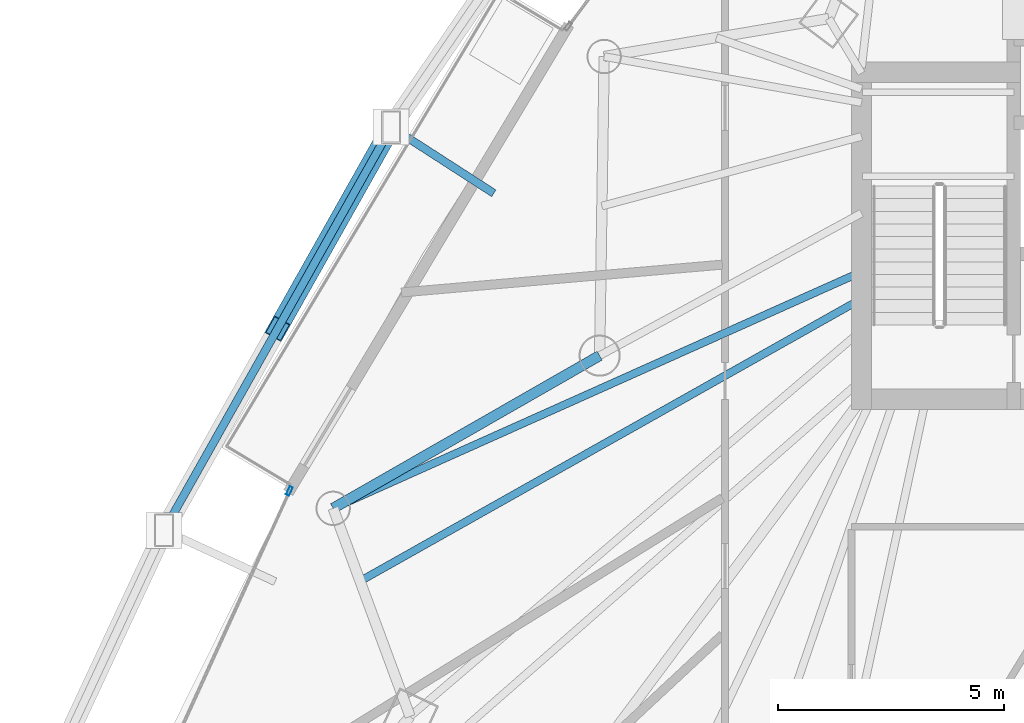
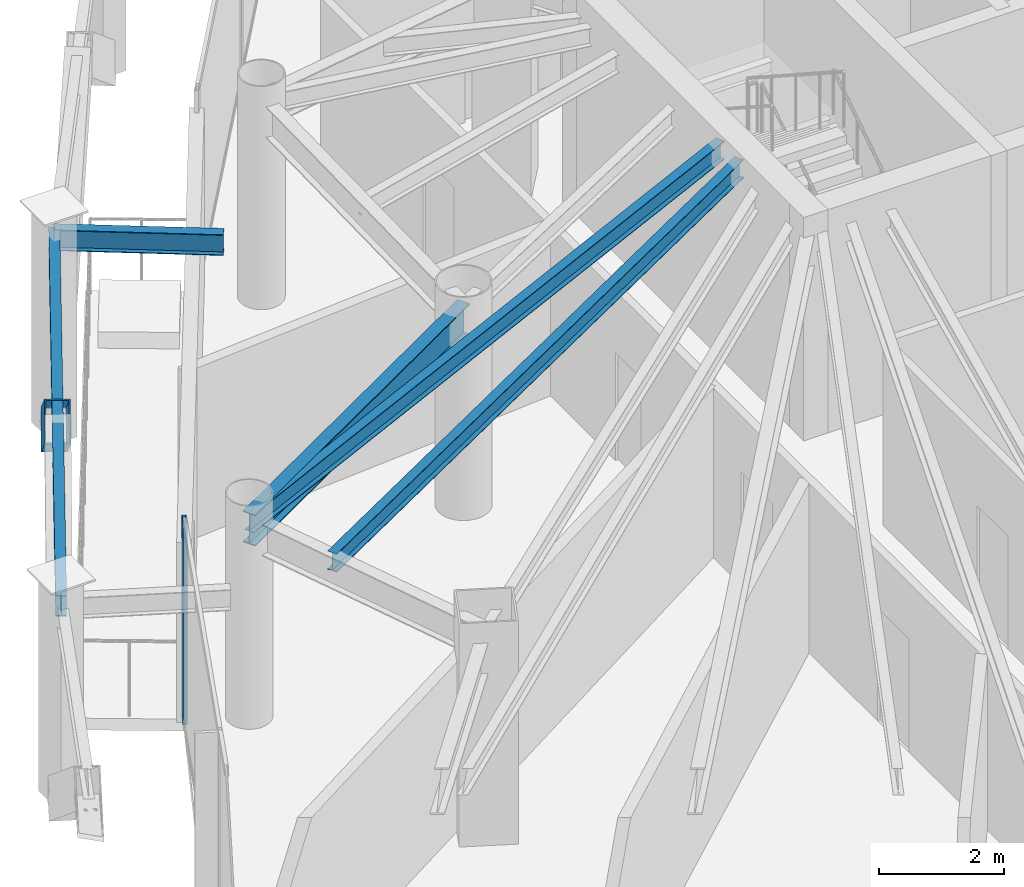
# One storey, part 10 of 33: 5 beams, 2 members, 1 element without a shape of its own.
"""IFC4 building model written with IfcOpenShell, lengths in metres."""

from ifc_helpers import new_model, si_unit, direction, frame, origin, origin_2d, place, context, subcontext, project, spatial, hollow_rectangle, i_section, extrude, material, layer, layer_set, material_profile, profile_set, type_object, element, aggregate, save


model = new_model("IFC4")

# Units and contexts
model_context = context("Model", 3, precision=1e-05, world=origin(), true_north=direction((0.0, 1.0)))
body_context = subcontext(model_context, "Body", "Model", "MODEL_VIEW")
ifc_project = project(units=[si_unit("LENGTHUNIT", "METRE"), si_unit("AREAUNIT", "SQUARE_METRE"), si_unit("VOLUMEUNIT", "CUBIC_METRE"), si_unit("PLANEANGLEUNIT", "RADIAN"), si_unit("MASSUNIT", "GRAM", prefix="KILO")], contexts=[model_context])

# Site, building, storey
site_placement = place(None, origin())
site = spatial("IfcSite", under=ifc_project, at=site_placement, CompositionType="ELEMENT")
building_placement = place(site_placement, origin())
building = spatial("IfcBuilding", under=site, at=building_placement, Name="Orvanel Arch Residences", CompositionType="ELEMENT")
storey_placement = place(building_placement, frame((0.0, 0.0, 97.25)))
storey = spatial("IfcBuildingStorey", under=building, at=storey_placement, Name="L27", CompositionType="ELEMENT", Elevation=97.25)

# Beams
ifc_material_1 = material(Name="Structural steel AS/NZS 3679.1 Grade 300 (300 MPa)", Category="steel")
ifc_material_profile_1 = material_profile(ifc_material_1, i_section(OverallWidth=0.1708984375, OverallDepth=0.35595703125, WebThickness=0.00732421875, FlangeThickness=0.011474609375, at=origin_2d()), Name="360UB50.7")
ifc_profile_set_1 = profile_set([ifc_material_profile_1], Name="Structural steel AS/NZS 3679.1 Grade 300 (300 MPa)")
beam_type_1 = type_object("IfcBeamType", Name="BJ-360UB", PredefinedType="JOIST", material=ifc_profile_set_1)
beam_1_placement = place(storey_placement, frame((26.375, 29.5, 3.77197265625), z_axis=(-0.912704378681, -0.408620505038, 0.0), x_axis=(0.408620505038, -0.912704378681, 0.0)))
element("IfcBeam", 1, at=beam_1_placement, inside=storey, type_object=beam_type_1, Name="L27 LSW Wing Floor Joist", PredefinedType="JOIST", context=body_context, shape_type="SweptSolid", body=[
    extrude(i_section(OverallWidth=0.1708984375, OverallDepth=0.35595703125, WebThickness=0.00732421875, FlangeThickness=0.011474609375, at=origin_2d()), origin(), (0.0, 0.0, 1.0), 12.833251953125),
])
beam_2_placement = place(storey_placement, frame((26.375, 28.89990234375, 3.77197265625), z_axis=(-0.871372554181, -0.490621923502, 0.0), x_axis=(0.490621923502, -0.871372554181, 0.0)))
element("IfcBeam", 2, at=beam_2_placement, inside=storey, type_object=beam_type_1, Name="L27 CTW Wing Floor Joist", PredefinedType="JOIST", context=body_context, shape_type="SweptSolid", body=[
    extrude(i_section(OverallWidth=0.1708984375, OverallDepth=0.35595703125, WebThickness=0.00732421875, FlangeThickness=0.011474609375, at=origin_2d()), origin(), (0.0, 0.0, 1.0), 12.7568359375),
])

# Member
ifc_material_2 = material(Name="Structural steel AS/NZS 3678 Grade 350", Category="steel")
ifc_material_profile_2 = material_profile(ifc_material_2, hollow_rectangle(XDim=0.419921875, YDim=0.719970703125, WallThickness=0.02490234375, at=origin_2d()), Name="RHS720x420x25")
ifc_profile_set_2 = profile_set([ifc_material_profile_2], Name="Structural steel AS/NZS 3678 Grade 350")
member_type_1 = type_object("IfcMemberType", Name="BR-720RHS-EXT", PredefinedType="BRACE", material=ifc_profile_set_2)
member_1_placement = place(storey_placement, frame((15.948974609375, 32.70703125, 0.0), z_axis=(-0.396395496013, -0.703511688435, 0.589866014427), x_axis=(0.871220679284, -0.490891564389, 0.0)))
element("IfcMember", 3, at=member_1_placement, inside=storey, type_object=member_type_1, Name="L27 Exterior Sky-Garden V-Frame Chevron F1B2.1", PredefinedType="BRACE", context=body_context, shape_type="SweptSolid", body=[
    extrude(hollow_rectangle(XDim=0.419921875, YDim=0.719970703125, WallThickness=0.02490234375, at=origin_2d()), origin(), (0.0, 0.0, 1.0), 6.352294921875),
])

# Curtain wall, member
ifc_material_3 = material(Name="Bronze-anodised aluminium AA6063-T6", Category="aluminium")
ifc_layer = layer(ifc_material_3, 0.195068359375)
ifc_layer_set = layer_set([ifc_layer], Name="Bronze-anodised aluminium AA6063-T6")
curtain_wall_type = type_object("IfcCurtainWallType", Name="CW6-COM-SYS", PredefinedType="NOTDEFINED", material=ifc_layer_set)
curtain_wall_placement = place(storey_placement, origin())
curtain_wall = element("IfcCurtainWall", 4, at=curtain_wall_placement, inside=storey, type_object=curtain_wall_type, Name="L27 CW6-COM-SYS Unitised Curtain Wall", PredefinedType="NOTDEFINED")
ifc_material_profile_3 = material_profile(ifc_material_3, hollow_rectangle(XDim=0.074951171875, YDim=0.199951171875, WallThickness=0.0048828125, at=origin_2d()), Name="ALU200x75x5")
ifc_profile_set_3 = profile_set([ifc_material_profile_3], Name="Bronze-anodised aluminium AA6063-T6")
member_type_2 = type_object("IfcMemberType", Name="MUL-200x75", PredefinedType="MULLION", material=ifc_profile_set_3)
member_2_placement = place(storey_placement, frame((13.6923828125, 24.637939453125, 0.0), z_axis=(0.0, 0.0, 1.0), x_axis=(0.909928413653, -0.414765333685, 0.0)))
member_2 = element("IfcMember", 5, at=member_2_placement, type_object=member_type_2, Name="CW-S6 mullion 1", PredefinedType="MULLION", context=body_context, shape_type="SweptSolid", body=[
    extrude(hollow_rectangle(XDim=0.074951171875, YDim=0.199951171875, WallThickness=0.0048828125, at=origin_2d()), origin(), (0.0, 0.0, 1.0), 3.949951171875),
])
aggregate(curtain_wall, [member_2])

# Beams
ifc_material_profile_4 = material_profile(ifc_material_1, i_section(OverallWidth=0.177978515625, OverallDepth=0.406005859375, WebThickness=0.0078125, FlangeThickness=0.0126953125, at=origin_2d()), Name="410UB59.7")
ifc_profile_set_4 = profile_set([ifc_material_profile_4], Name="Structural steel AS/NZS 3679.1 Grade 300 (300 MPa)")
beam_type_2 = type_object("IfcBeamType", Name="OB-410UB-EXT", PredefinedType="SPANDREL", material=ifc_profile_set_4)
beam_3_placement = place(storey_placement, frame((18.22412109375, 31.239013671875, 3.7470703125), z_axis=(-0.840266171647, 0.542174105603, 0.0), x_axis=(-0.542174105603, -0.840266171647, 0.0)))
element("IfcBeam", 6, at=beam_3_placement, inside=storey, type_object=beam_type_2, Name="L27 Outer Frame Radial Tie Beam 02", PredefinedType="SPANDREL", context=body_context, shape_type="SweptSolid", body=[
    extrude(i_section(OverallWidth=0.177978515625, OverallDepth=0.406005859375, WebThickness=0.0078125, FlangeThickness=0.0126953125, at=origin_2d()), origin(), (0.0, 0.0, 1.0), 2.707763671875),
])
beam_4_placement = place(storey_placement, frame((15.948974609375, 32.70703125, 3.7470703125), z_axis=(-0.490760538008, -0.87129449346, 0.0), x_axis=(0.87129449346, -0.490760538008, 0.0)))
element("IfcBeam", 7, at=beam_4_placement, inside=storey, type_object=beam_type_2, Name="L27 Outer Perimeter Floor Ring Beam 02", PredefinedType="SPANDREL", context=body_context, shape_type="SweptSolid", body=[
    extrude(i_section(OverallWidth=0.177978515625, OverallDepth=0.406005859375, WebThickness=0.0078125, FlangeThickness=0.0126953125, at=origin_2d()), origin(), (0.0, 0.0, 1.0), 10.259521484375),
])
ifc_material_profile_5 = material_profile(ifc_material_1, i_section(OverallWidth=0.22900390625, OverallDepth=0.612060546875, WebThickness=0.011962890625, FlangeThickness=0.01953125, at=origin_2d()), Name="610UB125")
ifc_profile_set_5 = profile_set([ifc_material_profile_5], Name="Structural steel AS/NZS 3679.1 Grade 300 (300 MPa)")
beam_type_3 = type_object("IfcBeamType", Name="SP-610UB", PredefinedType="SPANDREL", material=ifc_profile_set_5)
beam_5_placement = place(storey_placement, frame((20.569091796875, 27.64111328125, 3.64404296875), z_axis=(-0.867635629025, -0.497200578485, 0.0), x_axis=(0.497200578485, -0.867635629025, 0.0)))
element("IfcBeam", 8, at=beam_5_placement, inside=storey, type_object=beam_type_3, Name="L27 Perimeter Spandrel Beam 21", PredefinedType="SPANDREL", context=body_context, shape_type="SweptSolid", body=[
    extrude(i_section(OverallWidth=0.22900390625, OverallDepth=0.612060546875, WebThickness=0.011962890625, FlangeThickness=0.01953125, at=origin_2d()), origin(), (0.0, 0.0, 1.0), 6.80810546875),
])

save(model, "model.ifc")
